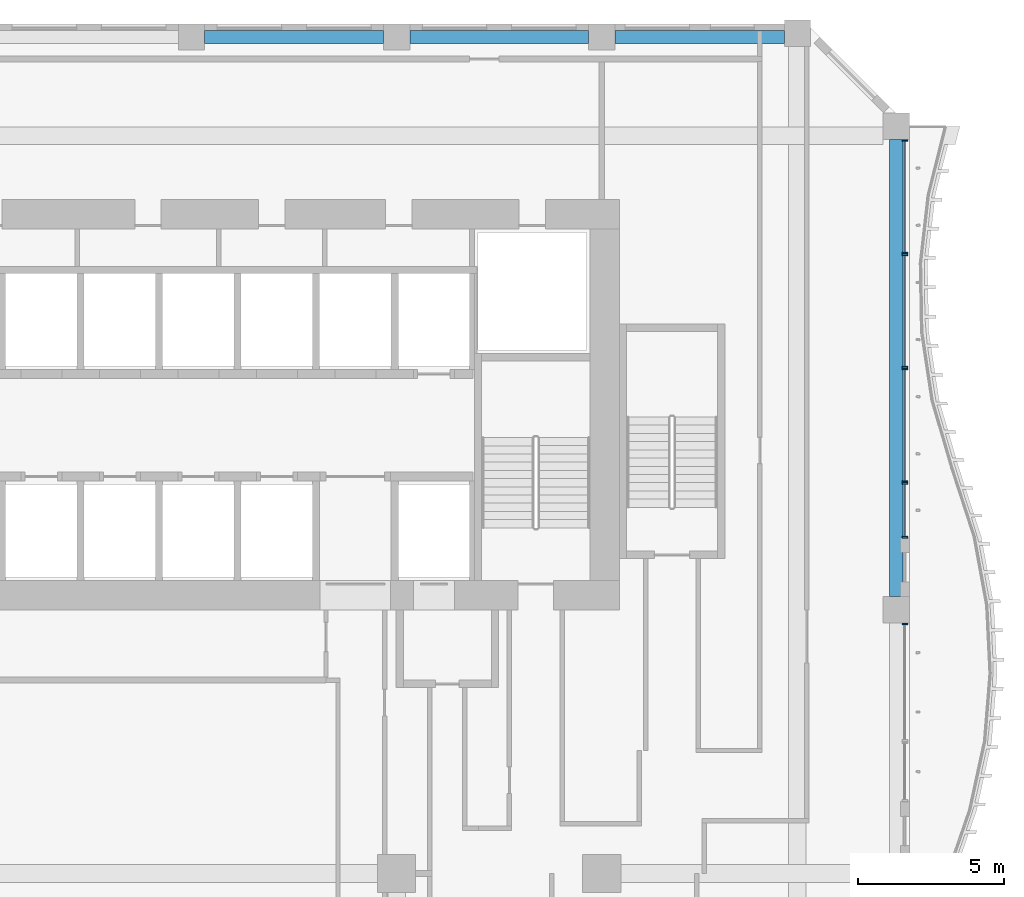
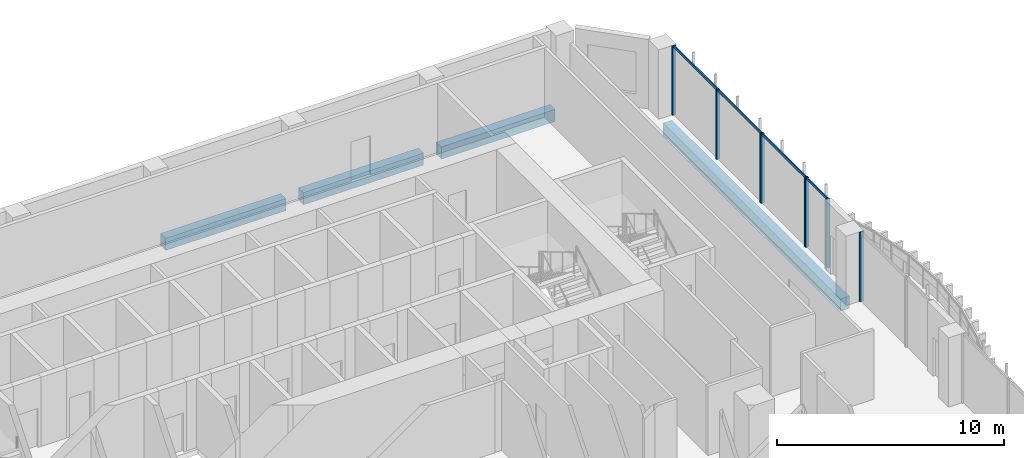
# One storey, part 8 of 27: 13 members, 4 beams, 5 elements without a shape of their own.
"""IFC4 building model written with IfcOpenShell, lengths in metres."""

from ifc_helpers import new_model, si_unit, direction, frame, origin, origin_2d, place, context, subcontext, project, spatial, rectangle, extrude, source, transform, mapped, material, material_profile, profile_set, type_object, element, aggregate, save


model = new_model("IFC4")

# Units and contexts
model_context = context("Model", 3, precision=1e-05, world=origin(), true_north=direction((0.0, 1.0)))
body_context = subcontext(model_context, "Body", "Model", "MODEL_VIEW")
ifc_project = project(units=[si_unit("LENGTHUNIT", "METRE"), si_unit("AREAUNIT", "SQUARE_METRE"), si_unit("VOLUMEUNIT", "CUBIC_METRE"), si_unit("PLANEANGLEUNIT", "RADIAN"), si_unit("MASSUNIT", "GRAM", prefix="KILO")], contexts=[model_context])

# Site, building, storey
site_placement = place(None, origin())
site = spatial("IfcSite", under=ifc_project, at=site_placement, CompositionType="ELEMENT")
building_placement = place(site_placement, origin())
building = spatial("IfcBuilding", under=site, at=building_placement, Name="Kilnfold Tower and Market Hall", CompositionType="ELEMENT")
storey_placement = place(building_placement, frame((0.0, 0.0, 47.0)))
storey = spatial("IfcBuildingStorey", under=building, at=storey_placement, Name="L10", CompositionType="ELEMENT", Elevation=47.0)

# Beams
ifc_material_1 = material(Name="Concrete C45", Category="concrete")
ifc_material_profile_1 = material_profile(ifc_material_1, rectangle(XDim=0.449951171875, YDim=0.64990234375, at=origin_2d()), Name="RC 450x650")
ifc_profile_set_1 = profile_set([ifc_material_profile_1], Name="Concrete C45")
beam_type = type_object("IfcBeamType", Name="EDGE BEAM 450X650 C45", PredefinedType="BEAM", material=ifc_profile_set_1)
shared_shape_1 = source(origin(), body_context, "Body", "SweptSolid", [
    extrude(rectangle(XDim=0.449951171875, YDim=0.64990234375, at=origin_2d()), origin(), (0.0, 0.0, 1.0), 6.10009765625),
])
for number, where, z_axis, x_axis, name in (
    (1, (3.949951171875, 27.550048828125, -0.60498046875), (1.0, 0.0, 0.0), (0.0, 1.0, 0.0), "Beam EB650-B1.27"),
    (2, (10.949951171875, 27.550048828125, -0.60498046875), (1.0, 0.0, 0.0), (0.0, 1.0, 0.0), "Beam EB650-B1.28"),
):
    element("IfcBeam", number, at=place(storey_placement, frame(where, z_axis=z_axis, x_axis=x_axis)), inside=storey, type_object=beam_type, Name=name, PredefinedType="BEAM", context=body_context, shape_type="MappedRepresentation", body=[
        mapped(shared_shape_1, transform((0.0, 0.0, 0.0))),
    ])
shared_shape_2 = source(origin(), body_context, "Body", "SweptSolid", [
    extrude(rectangle(XDim=0.449951171875, YDim=0.64990234375, at=origin_2d()), origin(), (0.0, 0.0, 1.0), 5.78173828125),
])
beam_1_placement = place(storey_placement, frame((17.949951171875, 27.550048828125, -0.60498046875), z_axis=(1.0, 0.0, 0.0), x_axis=(0.0, 1.0, 0.0)))
element("IfcBeam", 3, at=beam_1_placement, inside=storey, type_object=beam_type, Name="Beam EB650-B1.29", PredefinedType="BEAM", context=body_context, shape_type="MappedRepresentation", body=[
    mapped(shared_shape_2, transform((0.0, 0.0, 0.0))),
])
shared_shape_3 = source(origin(), body_context, "Body", "SweptSolid", [
    extrude(rectangle(XDim=0.449951171875, YDim=0.64990234375, at=origin_2d()), origin(), (0.0, 0.0, 1.0), 15.60009765625),
])
beam_2_placement = place(storey_placement, frame((27.550048828125, 8.449951171875, -0.60498046875), z_axis=(0.0, 1.0, 0.0), x_axis=(-1.0, 0.0, 0.0)))
element("IfcBeam", 4, at=beam_2_placement, inside=storey, type_object=beam_type, Name="Beam EB650-B1.59", PredefinedType="BEAM", context=body_context, shape_type="MappedRepresentation", body=[
    mapped(shared_shape_3, transform((0.0, 0.0, 0.0))),
])

# Curtain wall, member
ifc_material_2 = material(Name="Aluminium and double glazing", Category="aluminium")
curtain_wall_type = type_object("IfcCurtainWallType", Name="CW OF1 VALLEY GLAZING", PredefinedType="NOTDEFINED", material=ifc_material_2)
curtain_wall_1_placement = place(storey_placement, origin())
curtain_wall_1 = element("IfcCurtainWall", 5, at=curtain_wall_1_placement, inside=storey, type_object=curtain_wall_type, Name="Curtain wall CW1 L10 E", PredefinedType="NOTDEFINED")
ifc_material_3 = material(Name="Aluminium", Category="aluminium")
ifc_material_profile_2 = material_profile(ifc_material_3, rectangle(XDim=0.06005859375, YDim=0.179931640625, at=origin_2d()), Name="MULLION 60x180")
ifc_profile_set_2 = profile_set([ifc_material_profile_2], Name="Aluminium")
member_type_1 = type_object("IfcMemberType", Name="MULLION 60X180", PredefinedType="MULLION", material=ifc_profile_set_2)
shared_shape_4 = source(origin(), body_context, "Body", "SweptSolid", [
    extrude(rectangle(XDim=0.06005859375, YDim=0.179931640625, at=origin_2d()), origin(), (0.0, 0.0, 1.0), 3.719970703125),
])
member_1_placement = place(storey_placement, frame((27.85009765625, 7.52001953125, 0.0), z_axis=(0.0, 0.0, 1.0), x_axis=(0.0, 1.0, 0.0)))
member_1 = element("IfcMember", 6, at=member_1_placement, type_object=member_type_1, Name="CW1 mullion 2", PredefinedType="MULLION", context=body_context, shape_type="MappedRepresentation", body=[
    mapped(shared_shape_4, transform((0.0, 0.0, 0.0))),
])
aggregate(curtain_wall_1, [member_1])

# Curtain wall, members
curtain_wall_2_placement = place(storey_placement, origin())
curtain_wall_2 = element("IfcCurtainWall", 7, at=curtain_wall_2_placement, inside=storey, type_object=curtain_wall_type, Name="Curtain wall CW1 L10 E", PredefinedType="NOTDEFINED")
member_2_placement = place(storey_placement, frame((27.85009765625, 10.47998046875, 0.0), z_axis=(0.0, 0.0, 1.0), x_axis=(0.0, 1.0, 0.0)))
member_2 = element("IfcMember", 8, at=member_2_placement, type_object=member_type_1, Name="CW1 mullion 1", PredefinedType="MULLION", context=body_context, shape_type="MappedRepresentation", body=[
    mapped(shared_shape_4, transform((0.0, 0.0, 0.0))),
])
member_3_placement = place(storey_placement, frame((27.85009765625, 12.320068359375, 0.0), z_axis=(0.0, 0.0, 1.0), x_axis=(0.0, 1.0, 0.0)))
member_3 = element("IfcMember", 9, at=member_3_placement, type_object=member_type_1, Name="CW1 mullion 2", PredefinedType="MULLION", context=body_context, shape_type="MappedRepresentation", body=[
    mapped(shared_shape_4, transform((0.0, 0.0, 0.0))),
])

curtain_wall_3_placement = place(storey_placement, origin())
curtain_wall_3 = element("IfcCurtainWall", 10, at=curtain_wall_3_placement, inside=storey, type_object=curtain_wall_type, Name="Curtain wall CW1 L10 E", PredefinedType="NOTDEFINED")
member_4_placement = place(storey_placement, frame((27.85009765625, 12.3798828125, 0.0), z_axis=(0.0, 0.0, 1.0), x_axis=(0.0, 1.0, 0.0)))
member_4 = element("IfcMember", 11, at=member_4_placement, type_object=member_type_1, Name="CW1 mullion 1", PredefinedType="MULLION", context=body_context, shape_type="MappedRepresentation", body=[
    mapped(shared_shape_4, transform((0.0, 0.0, 0.0))),
])
member_5_placement = place(storey_placement, frame((27.85009765625, 16.219970703125, 0.0), z_axis=(0.0, 0.0, 1.0), x_axis=(0.0, 1.0, 0.0)))
member_5 = element("IfcMember", 12, at=member_5_placement, type_object=member_type_1, Name="CW1 mullion 2", PredefinedType="MULLION", context=body_context, shape_type="MappedRepresentation", body=[
    mapped(shared_shape_4, transform((0.0, 0.0, 0.0))),
])

curtain_wall_4_placement = place(storey_placement, origin())
curtain_wall_4 = element("IfcCurtainWall", 13, at=curtain_wall_4_placement, inside=storey, type_object=curtain_wall_type, Name="Curtain wall CW1 L10 E", PredefinedType="NOTDEFINED")
member_6_placement = place(storey_placement, frame((27.85009765625, 16.280029296875, 0.0), z_axis=(0.0, 0.0, 1.0), x_axis=(0.0, 1.0, 0.0)))
member_6 = element("IfcMember", 14, at=member_6_placement, type_object=member_type_1, Name="CW1 mullion 1", PredefinedType="MULLION", context=body_context, shape_type="MappedRepresentation", body=[
    mapped(shared_shape_4, transform((0.0, 0.0, 0.0))),
])
member_7_placement = place(storey_placement, frame((27.85009765625, 20.1201171875, 0.0), z_axis=(0.0, 0.0, 1.0), x_axis=(0.0, 1.0, 0.0)))
member_7 = element("IfcMember", 15, at=member_7_placement, type_object=member_type_1, Name="CW1 mullion 2", PredefinedType="MULLION", context=body_context, shape_type="MappedRepresentation", body=[
    mapped(shared_shape_4, transform((0.0, 0.0, 0.0))),
])

curtain_wall_5_placement = place(storey_placement, origin())
curtain_wall_5 = element("IfcCurtainWall", 16, at=curtain_wall_5_placement, inside=storey, type_object=curtain_wall_type, Name="Curtain wall CW1 L10 E", PredefinedType="NOTDEFINED")
member_8_placement = place(storey_placement, frame((27.85009765625, 20.179931640625, 0.0), z_axis=(0.0, 0.0, 1.0), x_axis=(0.0, 1.0, 0.0)))
member_8 = element("IfcMember", 17, at=member_8_placement, type_object=member_type_1, Name="CW1 mullion 1", PredefinedType="MULLION", context=body_context, shape_type="MappedRepresentation", body=[
    mapped(shared_shape_4, transform((0.0, 0.0, 0.0))),
])
member_9_placement = place(storey_placement, frame((27.85009765625, 24.02001953125, 0.0), z_axis=(0.0, 0.0, 1.0), x_axis=(0.0, 1.0, 0.0)))
member_9 = element("IfcMember", 18, at=member_9_placement, type_object=member_type_1, Name="CW1 mullion 2", PredefinedType="MULLION", context=body_context, shape_type="MappedRepresentation", body=[
    mapped(shared_shape_4, transform((0.0, 0.0, 0.0))),
])

# Member
ifc_material_4 = material(Name="Aluminium", Category="aluminium")
ifc_material_profile_3 = material_profile(ifc_material_4, rectangle(XDim=0.06005859375, YDim=0.139892578125, at=origin_2d()), Name="TRANSOM 60x140")
ifc_profile_set_3 = profile_set([ifc_material_profile_3], Name="Aluminium")
member_type_2 = type_object("IfcMemberType", Name="TRANSOM 60X140", PredefinedType="USERDEFINED", material=ifc_profile_set_3)
shared_shape_5 = source(origin(), body_context, "Body", "SweptSolid", [
    extrude(rectangle(XDim=0.06005859375, YDim=0.139892578125, at=origin_2d()), origin(), (0.0, 0.0, 1.0), 3.780029296875),
])
member_10_placement = place(storey_placement, frame((27.85009765625, 12.409912109375, 3.68994140625), z_axis=(0.0, 1.0, 0.0), x_axis=(-1.0, 0.0, 0.0)))
member_10 = element("IfcMember", 19, at=member_10_placement, type_object=member_type_2, Name="CW1 transom 1.2", ObjectType="TRANSOM", PredefinedType="USERDEFINED", context=body_context, shape_type="MappedRepresentation", body=[
    mapped(shared_shape_5, transform((0.0, 0.0, 0.0))),
])

aggregate(curtain_wall_3, [member_4, member_5, member_10])

member_11_placement = place(storey_placement, frame((27.85009765625, 16.31005859375, 3.68994140625), z_axis=(0.0, 1.0, 0.0), x_axis=(-1.0, 0.0, 0.0)))
member_11 = element("IfcMember", 20, at=member_11_placement, type_object=member_type_2, Name="CW1 transom 1.2", ObjectType="TRANSOM", PredefinedType="USERDEFINED", context=body_context, shape_type="MappedRepresentation", body=[
    mapped(shared_shape_5, transform((0.0, 0.0, 0.0))),
])

aggregate(curtain_wall_4, [member_6, member_7, member_11])

member_12_placement = place(storey_placement, frame((27.85009765625, 20.2099609375, 3.68994140625), z_axis=(0.0, 1.0, 0.0), x_axis=(-1.0, 0.0, 0.0)))
member_12 = element("IfcMember", 21, at=member_12_placement, type_object=member_type_2, Name="CW1 transom 1.2", ObjectType="TRANSOM", PredefinedType="USERDEFINED", context=body_context, shape_type="MappedRepresentation", body=[
    mapped(shared_shape_5, transform((0.0, 0.0, 0.0))),
])

aggregate(curtain_wall_5, [member_8, member_9, member_12])

shared_shape_6 = source(origin(), body_context, "Body", "SweptSolid", [
    extrude(rectangle(XDim=0.06005859375, YDim=0.139892578125, at=origin_2d()), origin(), (0.0, 0.0, 1.0), 1.780029296875),
])
member_13_placement = place(storey_placement, frame((27.85009765625, 10.510009765625, 3.68994140625), z_axis=(0.0, 1.0, 0.0), x_axis=(-1.0, 0.0, 0.0)))
member_13 = element("IfcMember", 22, at=member_13_placement, type_object=member_type_2, Name="CW1 transom 1.2", ObjectType="TRANSOM", PredefinedType="USERDEFINED", context=body_context, shape_type="MappedRepresentation", body=[
    mapped(shared_shape_6, transform((0.0, 0.0, 0.0))),
])

aggregate(curtain_wall_2, [member_2, member_3, member_13])

save(model, "model.ifc")
